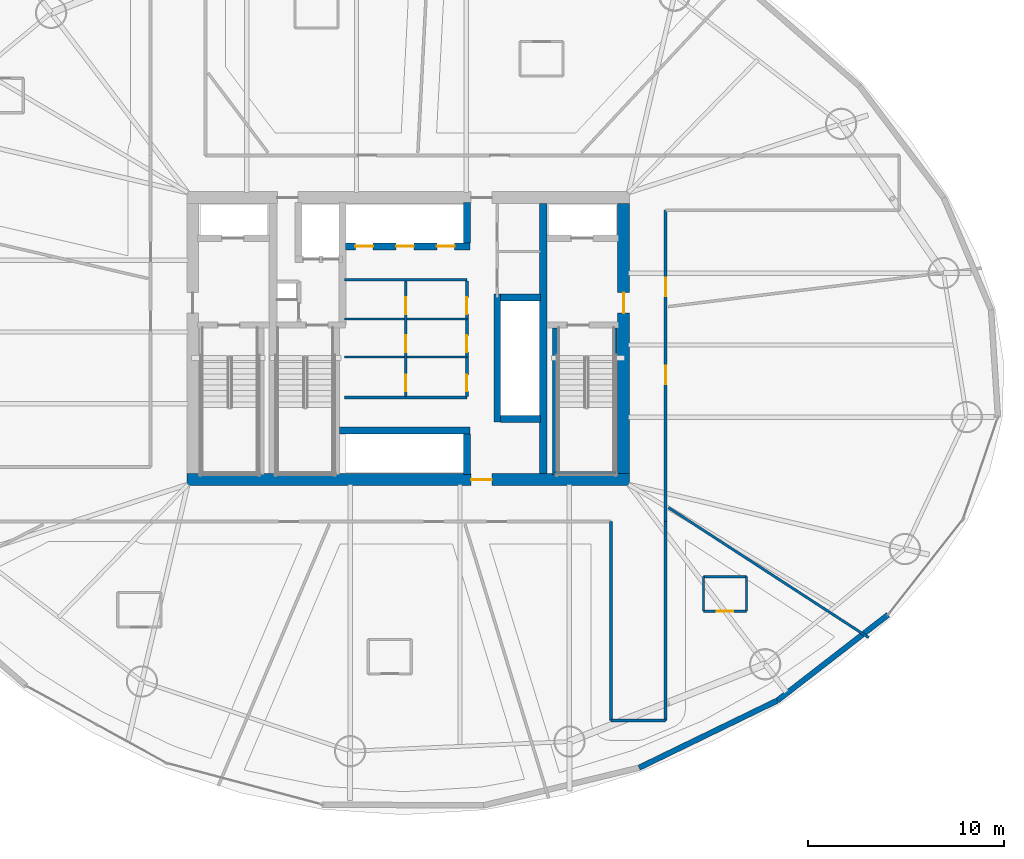
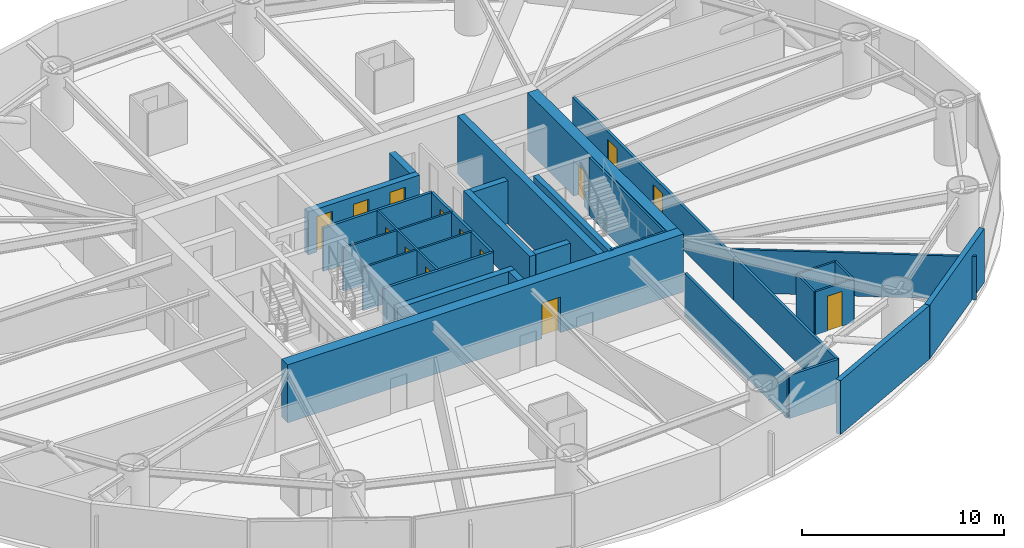
# One storey, part 17 of 23: 30 walls, 14 doors, 14 openings.
"""IFC4 building model written with IfcOpenShell, lengths in metres."""

from ifc_helpers import new_model, si_unit, direction, frame, frame_2d, origin, place, context, subcontext, project, spatial, rectangle, extrude, material, layer, layer_set, type_object, element, fill, save


model = new_model("IFC4")

# Units and contexts
model_context = context("Model", 3, precision=1e-05, world=origin(), true_north=direction((0.0, 1.0)))
body_context = subcontext(model_context, "Body", "Model", "MODEL_VIEW")
ifc_project = project(units=[si_unit("LENGTHUNIT", "METRE"), si_unit("AREAUNIT", "SQUARE_METRE"), si_unit("VOLUMEUNIT", "CUBIC_METRE"), si_unit("PLANEANGLEUNIT", "RADIAN"), si_unit("MASSUNIT", "GRAM", prefix="KILO")], contexts=[model_context])

# Site, building, storey
site_placement = place(None, origin())
site = spatial("IfcSite", under=ifc_project, at=site_placement, CompositionType="ELEMENT")
building_placement = place(site_placement, origin())
building = spatial("IfcBuilding", under=site, at=building_placement, Name="Bramvorn Convention Spire", CompositionType="ELEMENT")
storey_placement = place(building_placement, frame((0.0, 0.0, 65.89990234375)))
storey = spatial("IfcBuildingStorey", under=building, at=storey_placement, Name="L14", CompositionType="ELEMENT", Elevation=65.89990234375)

# Wall, opening, door
ifc_material_1 = material(Name="Concrete C60/70", Category="concrete")
ifc_layer_1 = layer(ifc_material_1, 0.60009765625)
ifc_layer_set_1 = layer_set([ifc_layer_1], Name="Concrete C60/70 - WL-CORE-600")
wall_type_1 = type_object("IfcWallType", Name="WL-CORE-600", PredefinedType="SHEAR", material=ifc_layer_set_1)
wall_1_placement = place(storey_placement, frame((26.699951171875, 18.800048828125, 0.0), z_axis=(0.0, 0.0, 1.0), x_axis=(1.0, 0.0, 0.0)))
wall_1 = element("IfcWall", 1, at=wall_1_placement, inside=storey, type_object=wall_type_1, Name="L14 South RC core shear wall", PredefinedType="SHEAR", context=body_context, shape_type="SweptSolid", body=[
    extrude(rectangle(XDim=22.60009765625, YDim=0.60009765625, at=frame_2d((11.300048828125, 0.0))), origin(), (0.0, 0.0, 1.0), 3.5),
])
opening_1_placement = place(wall_1_placement, frame((14.52001953125, 0.0, 0.0)))
opening_1 = element("IfcOpeningElement", 2, at=opening_1_placement, cuts=wall_1, Name="Opening DL-105", PredefinedType="OPENING", context=body_context, shape_type="SweptSolid", body=[
    extrude(rectangle(XDim=1.050048828125, YDim=2.14990234375, at=frame_2d((0.52490234375, 1.074951171875))), frame((0.0, 0.31005859375, 0.0), z_axis=(0.0, -1.0, 0.0), x_axis=(1.0, 0.0, 0.0)), (0.0, 0.0, 1.0), 0.6201171875),
])
ifc_material_2 = material(Name="Smoke-Sealed Fire Lobby Timber-Core Door", Category="wood")
door_type_1 = type_object("IfcDoorType", Name="DR-LOBBY-1050", OperationType="NOTDEFINED", PredefinedType="DOOR", material=ifc_material_2)
door_1_placement = place(opening_1_placement, origin())
door_1 = element("IfcDoor", 3, at=door_1_placement, inside=storey, type_object=door_type_1, Name="L14 South Lift Lobby fire door", OperationType="SINGLE_SWING_RIGHT", OverallHeight=2.14990234375, OverallWidth=1.050048828125, PredefinedType="DOOR", context=body_context, shape_type="SweptSolid", body=[
    extrude(rectangle(XDim=1.050048828125, YDim=2.14990234375, at=frame_2d((0.52490234375, 1.074951171875))), frame((0.0, 0.02490234375, 0.0), z_axis=(0.0, -1.0, 0.0), x_axis=(1.0, 0.0, 0.0)), (0.0, 0.0, 1.0), 0.050048828125),
])
fill(opening_1, door_1)

wall_2_placement = place(storey_placement, frame((49.0, 19.10009765625, 0.0), z_axis=(0.0, 0.0, 1.0), x_axis=(0.0, 1.0, 0.0)))
wall_2 = element("IfcWall", 4, at=wall_2_placement, inside=storey, type_object=wall_type_1, Name="L14 East RC core shear wall", PredefinedType="SHEAR", context=body_context, shape_type="SweptSolid", body=[
    extrude(rectangle(XDim=13.7998046875, YDim=0.60009765625, at=frame_2d((6.89990234375, 0.0))), origin(), (0.0, 0.0, 1.0), 3.5),
])
opening_2_placement = place(wall_2_placement, frame((8.199951171875, 0.0, 0.0)))
opening_2 = element("IfcOpeningElement", 5, at=opening_2_placement, cuts=wall_2, Name="Opening DL-105", PredefinedType="OPENING", context=body_context, shape_type="SweptSolid", body=[
    extrude(rectangle(XDim=1.050048828125, YDim=2.14990234375, at=frame_2d((0.52490234375, 1.074951171875))), frame((0.0, 0.31005859375, 0.0), z_axis=(0.0, -1.0, 0.0), x_axis=(1.0, 0.0, 0.0)), (0.0, 0.0, 1.0), 0.6201171875),
])
door_2_placement = place(opening_2_placement, origin())
door_2 = element("IfcDoor", 6, at=door_2_placement, inside=storey, type_object=door_type_1, Name="L14 East Firefighting Lobby corridor door", OperationType="SINGLE_SWING_LEFT", OverallHeight=2.14990234375, OverallWidth=1.050048828125, PredefinedType="DOOR", context=body_context, shape_type="SweptSolid", body=[
    extrude(rectangle(XDim=1.050048828125, YDim=2.14990234375, at=frame_2d((0.52490234375, 1.074951171875))), frame((0.0, 0.02490234375, 0.0), z_axis=(0.0, -1.0, 0.0), x_axis=(1.0, 0.0, 0.0)), (0.0, 0.0, 1.0), 0.050048828125),
])
fill(opening_2, door_2)

# Walls
ifc_material_3 = material(Name="Concrete C50/60", Category="concrete")
ifc_layer_2 = layer(ifc_material_3, 0.35009765625)
ifc_layer_set_2 = layer_set([ifc_layer_2], Name="Concrete C50/60 - WL-CORE-INT-350")
wall_type_2 = type_object("IfcWallType", Name="WL-CORE-INT-350", PredefinedType="SHEAR", material=ifc_layer_set_2)
wall_3_placement = place(storey_placement, frame((42.550048828125, 21.72998046875, 0.0), z_axis=(0.0, 0.0, 1.0), x_axis=(0.0, 1.0, 0.0)))
element("IfcWall", 7, at=wall_3_placement, inside=storey, type_object=wall_type_2, Name="L14 High-rise lift bank west wall", PredefinedType="SHEAR", context=body_context, shape_type="SweptSolid", body=[
    extrude(rectangle(XDim=6.5400390625, YDim=0.35009765625, at=frame_2d((3.27001953125, 0.0))), origin(), (0.0, 0.0, 1.0), 2.60009765625),
])
for number, where, z_axis, x_axis, name in (
    (8, (42.719970703125, 21.89990234375, 0.0), (0.0, 0.0, 1.0), (1.0, 0.0, 0.0), "L14 High-rise lift bank south wall"),
    (9, (42.719970703125, 28.10009765625, 0.0), (0.0, 0.0, 1.0), (1.0, 0.0, 0.0), "L14 High-rise lift bank north wall"),
):
    element("IfcWall", number, at=place(storey_placement, frame(where, z_axis=z_axis, x_axis=x_axis)), inside=storey, type_object=wall_type_2, Name=name, PredefinedType="SHEAR", context=body_context, shape_type="SweptSolid", body=[
        extrude(rectangle(XDim=2.030029296875, YDim=0.35009765625, at=frame_2d((1.01513671875, 0.0))), origin(), (0.0, 0.0, 1.0), 2.60009765625),
    ])

# Wall, openings, doors
wall_4_placement = place(storey_placement, frame((34.81005859375, 30.699951171875, 0.0), z_axis=(0.0, 0.0, 1.0), x_axis=(1.0, 0.0, 0.0)))
wall_4 = element("IfcWall", 10, at=wall_4_placement, inside=storey, type_object=wall_type_2, Name="L14 Low-rise bank south landing wall", PredefinedType="SHEAR", context=body_context, shape_type="SweptSolid", body=[
    extrude(rectangle(XDim=6.35986328125, YDim=0.35009765625, at=frame_2d((3.179931640625, 0.0))), origin(), (0.0, 0.0, 1.0), 2.60009765625),
])
opening_3_placement = place(wall_4_placement, frame((0.5, 0.0, 0.0)))
opening_3 = element("IfcOpeningElement", 11, at=opening_3_placement, cuts=wall_4, Name="Opening LD-090", PredefinedType="OPENING", context=body_context, shape_type="SweptSolid", body=[
    extrude(rectangle(XDim=0.89990234375, YDim=2.14990234375, at=frame_2d((0.449951171875, 1.074951171875))), frame((0.0, 0.18505859375, 0.0), z_axis=(0.0, -1.0, 0.0), x_axis=(1.0, 0.0, 0.0)), (0.0, 0.0, 1.0), 0.3701171875),
])
opening_4_placement = place(wall_4_placement, frame((2.580078125, 0.0, 0.0)))
opening_4 = element("IfcOpeningElement", 12, at=opening_4_placement, cuts=wall_4, Name="Opening LD-090", PredefinedType="OPENING", context=body_context, shape_type="SweptSolid", body=[
    extrude(rectangle(XDim=0.89990234375, YDim=2.14990234375, at=frame_2d((0.449951171875, 1.074951171875))), frame((0.0, 0.18505859375, 0.0), z_axis=(0.0, -1.0, 0.0), x_axis=(1.0, 0.0, 0.0)), (0.0, 0.0, 1.0), 0.3701171875),
])
opening_5_placement = place(wall_4_placement, frame((4.659912109375, 0.0, 0.0)))
opening_5 = element("IfcOpeningElement", 13, at=opening_5_placement, cuts=wall_4, Name="Opening LD-090", PredefinedType="OPENING", context=body_context, shape_type="SweptSolid", body=[
    extrude(rectangle(XDim=0.89990234375, YDim=2.14990234375, at=frame_2d((0.449951171875, 1.074951171875))), frame((0.0, 0.18505859375, 0.0), z_axis=(0.0, -1.0, 0.0), x_axis=(1.0, 0.0, 0.0)), (0.0, 0.0, 1.0), 0.3701171875),
])
ifc_material_4 = material(Name="Bi-Parting Fire-Rated Lift Landing Door", Category="steel")
door_type_2 = type_object("IfcDoorType", Name="DR-LIFT-LD-900", OperationType="NOTDEFINED", PredefinedType="DOOR", material=ifc_material_4)
door_3_placement = place(opening_3_placement, origin())
door_3 = element("IfcDoor", 14, at=door_3_placement, inside=storey, type_object=door_type_2, Name="L14 Lift PL1 Sliding Landing Door", OperationType="SLIDING_TO_LEFT", OverallHeight=2.14990234375, OverallWidth=0.89990234375, PredefinedType="DOOR", context=body_context, shape_type="SweptSolid", body=[
    extrude(rectangle(XDim=0.89990234375, YDim=2.14990234375, at=frame_2d((0.449951171875, 1.074951171875))), frame((0.0, 0.02490234375, 0.0), z_axis=(0.0, -1.0, 0.0), x_axis=(1.0, 0.0, 0.0)), (0.0, 0.0, 1.0), 0.050048828125),
])
fill(opening_3, door_3)
door_4_placement = place(opening_4_placement, origin())
door_4 = element("IfcDoor", 15, at=door_4_placement, inside=storey, type_object=door_type_2, Name="L14 Lift PL2 Sliding Landing Door", OperationType="SLIDING_TO_LEFT", OverallHeight=2.14990234375, OverallWidth=0.89990234375, PredefinedType="DOOR", context=body_context, shape_type="SweptSolid", body=[
    extrude(rectangle(XDim=0.89990234375, YDim=2.14990234375, at=frame_2d((0.449951171875, 1.074951171875))), frame((0.0, 0.02490234375, 0.0), z_axis=(0.0, -1.0, 0.0), x_axis=(1.0, 0.0, 0.0)), (0.0, 0.0, 1.0), 0.050048828125),
])
fill(opening_4, door_4)
door_5_placement = place(opening_5_placement, origin())
door_5 = element("IfcDoor", 16, at=door_5_placement, inside=storey, type_object=door_type_2, Name="L14 Lift PL3 Sliding Landing Door", OperationType="SLIDING_TO_LEFT", OverallHeight=2.14990234375, OverallWidth=0.89990234375, PredefinedType="DOOR", context=body_context, shape_type="SweptSolid", body=[
    extrude(rectangle(XDim=0.89990234375, YDim=2.14990234375, at=frame_2d((0.449951171875, 1.074951171875))), frame((0.0, 0.02490234375, 0.0), z_axis=(0.0, -1.0, 0.0), x_axis=(1.0, 0.0, 0.0)), (0.0, 0.0, 1.0), 0.050048828125),
])
fill(opening_5, door_5)

# Walls
wall_5_placement = place(storey_placement, frame((41.0, 30.8701171875, 0.0), z_axis=(0.0, 0.0, 1.0), x_axis=(0.0, 1.0, 0.0)))
element("IfcWall", 17, at=wall_5_placement, inside=storey, type_object=wall_type_2, Name="L14 Low-rise bank east cheek wall", PredefinedType="SHEAR", context=body_context, shape_type="SweptSolid", body=[
    extrude(rectangle(XDim=2.079833984375, YDim=0.35009765625, at=frame_2d((1.0400390625, 0.0))), origin(), (0.0, 0.0, 1.0), 2.60009765625),
])
wall_6_placement = place(storey_placement, frame((34.489990234375, 21.300048828125, 0.0), z_axis=(0.0, 0.0, 1.0), x_axis=(1.0, 0.0, 0.0)))
element("IfcWall", 18, at=wall_6_placement, inside=storey, type_object=wall_type_2, Name="L14 Mid-rise bank north landing wall", PredefinedType="SHEAR", context=body_context, shape_type="SweptSolid", body=[
    extrude(rectangle(XDim=6.679931640625, YDim=0.35009765625, at=frame_2d((3.33984375, 0.0))), origin(), (0.0, 0.0, 1.0), 2.60009765625),
])
wall_7_placement = place(storey_placement, frame((41.0, 19.050048828125, 0.0), z_axis=(0.0, 0.0, 1.0), x_axis=(0.0, 1.0, 0.0)))
element("IfcWall", 19, at=wall_7_placement, inside=storey, type_object=wall_type_2, Name="L14 Mid-rise bank east cheek wall", PredefinedType="SHEAR", context=body_context, shape_type="SweptSolid", body=[
    extrude(rectangle(XDim=2.079833984375, YDim=0.35009765625, at=frame_2d((1.0400390625, 0.0))), origin(), (0.0, 0.0, 1.0), 2.60009765625),
])
ifc_layer_3 = layer(ifc_material_1, 0.39990234375)
ifc_layer_set_3 = layer_set([ifc_layer_3], Name="Concrete C60/70 - WL-CORE-INT-400")
wall_type_3 = type_object("IfcWallType", Name="WL-CORE-INT-400", PredefinedType="SHEAR", material=ifc_layer_set_3)
wall_8_placement = place(storey_placement, frame((44.89990234375, 19.10009765625, 0.0), z_axis=(0.0, 0.0, 1.0), x_axis=(0.0, 1.0, 0.0)))
element("IfcWall", 20, at=wall_8_placement, inside=storey, type_object=wall_type_3, Name="L14 East internal core shear web", PredefinedType="SHEAR", context=body_context, shape_type="SweptSolid", body=[
    extrude(rectangle(XDim=13.7998046875, YDim=0.39990234375, at=frame_2d((6.89990234375, 0.0))), origin(), (0.0, 0.0, 1.0), 3.5),
])
ifc_material_5 = material(Name="Precast Concrete C40/50 with Bronze Terracotta Rainscreen", Category="masonry")
ifc_layer_4 = layer(ifc_material_5, 0.300048828125)
ifc_layer_set_4 = layer_set([ifc_layer_4], Name="Precast Concrete C40/50 with Bronze Terracotta Rainscreen - WL-EXT-BRONZE-300")
wall_type_4 = type_object("IfcWallType", Name="WL-EXT-BRONZE-300", PredefinedType="SOLIDWALL", material=ifc_layer_set_4)
wall_9_placement = place(storey_placement, frame((56.851806640625, 7.519287109375, 0.0), z_axis=(0.0, 0.0, 1.0), x_axis=(-0.899430218245, -0.437064391718, 0.0)))
element("IfcWall", 21, at=wall_9_placement, inside=storey, type_object=wall_type_4, Name="L14 expressed bronze Gothic lancet pier wall 21", PredefinedType="SOLIDWALL", context=body_context, shape_type="SweptSolid", body=[
    extrude(rectangle(XDim=7.844970703125, YDim=0.280029296875, at=frame_2d((3.92236328125, 0.0))), origin(), (0.0, 0.0, 1.0), 3.25),
])
wall_10_placement = place(storey_placement, frame((62.49853515625, 11.8935546875, 0.0), z_axis=(0.0, 0.0, 1.0), x_axis=(-0.790547015507, -0.612401352278, 0.0)))
element("IfcWall", 22, at=wall_10_placement, inside=storey, type_object=wall_type_4, Name="L14 expressed bronze Gothic lancet pier wall 22", PredefinedType="SOLIDWALL", context=body_context, shape_type="SweptSolid", body=[
    extrude(rectangle(XDim=7.142822265625, YDim=0.280029296875, at=frame_2d((3.5712890625, 0.0))), origin(), (0.0, 0.0, 1.0), 3.25),
])

# Wall, openings, doors
ifc_material_6 = material(Name="Lightweight En-Suite & Wet-Wall Partition", Category="gypsum")
ifc_layer_5 = layer(ifc_material_6, 0.110107421875)
ifc_layer_set_5 = layer_set([ifc_layer_5], Name="Lightweight En-Suite & Wet-Wall Partition - WL-PART-110")
wall_type_5 = type_object("IfcWallType", Name="WL-PART-110", PredefinedType="PARTITIONING", material=ifc_layer_set_5)
wall_11_placement = place(storey_placement, frame((37.8798828125, 23.050048828125, 0.0), z_axis=(0.0, 0.0, 1.0), x_axis=(0.0, 1.0, 0.0)))
wall_11 = element("IfcWall", 23, at=wall_11_placement, inside=storey, type_object=wall_type_5, Name="L14 KB center wall", PredefinedType="PARTITIONING", context=body_context, shape_type="SweptSolid", body=[
    extrude(rectangle(XDim=5.89990234375, YDim=0.110107421875, at=frame_2d((2.949951171875, 0.0))), origin(), (0.0, 0.0, 1.0), 2.60009765625),
])
opening_6_placement = place(wall_11_placement, frame((0.25, 0.0, 0.0)))
opening_6 = element("IfcOpeningElement", 24, at=opening_6_placement, cuts=wall_11, Name="Opening DC-085", PredefinedType="OPENING", context=body_context, shape_type="SweptSolid", body=[
    extrude(rectangle(XDim=0.85009765625, YDim=2.10009765625, at=frame_2d((0.425048828125, 1.050048828125))), frame((0.0, 0.06494140625, 0.0), z_axis=(0.0, -1.0, 0.0), x_axis=(1.0, 0.0, 0.0)), (0.0, 0.0, 1.0), 0.130126953125),
])
opening_7_placement = place(wall_11_placement, frame((2.256103515625, 0.0, 0.0)))
opening_7 = element("IfcOpeningElement", 25, at=opening_7_placement, cuts=wall_11, Name="Opening DC-085", PredefinedType="OPENING", context=body_context, shape_type="SweptSolid", body=[
    extrude(rectangle(XDim=0.85009765625, YDim=2.10009765625, at=frame_2d((0.425048828125, 1.050048828125))), frame((0.0, 0.06494140625, 0.0), z_axis=(0.0, -1.0, 0.0), x_axis=(1.0, 0.0, 0.0)), (0.0, 0.0, 1.0), 0.130126953125),
])
opening_8_placement = place(wall_11_placement, frame((4.202880859375, 0.0, 0.0)))
opening_8 = element("IfcOpeningElement", 26, at=opening_8_placement, cuts=wall_11, Name="Opening DC-085", PredefinedType="OPENING", context=body_context, shape_type="SweptSolid", body=[
    extrude(rectangle(XDim=0.85009765625, YDim=2.10009765625, at=frame_2d((0.425048828125, 1.050048828125))), frame((0.0, 0.06494140625, 0.0), z_axis=(0.0, -1.0, 0.0), x_axis=(1.0, 0.0, 0.0)), (0.0, 0.0, 1.0), 0.130126953125),
])
ifc_material_7 = material(Name="Fire-Rated Core Washroom & IDF Door", Category="wood")
door_type_3 = type_object("IfcDoorType", Name="DR-CORE-850", OperationType="NOTDEFINED", PredefinedType="DOOR", material=ifc_material_7)
door_6_placement = place(opening_6_placement, origin())
door_6 = element("IfcDoor", 27, at=door_6_placement, inside=storey, type_object=door_type_3, Name="L14 Core Linen Store door", OperationType="SINGLE_SWING_LEFT", OverallHeight=2.10009765625, OverallWidth=0.85009765625, PredefinedType="DOOR", context=body_context, shape_type="SweptSolid", body=[
    extrude(rectangle(XDim=0.85009765625, YDim=2.10009765625, at=frame_2d((0.425048828125, 1.050048828125))), frame((0.0, 0.02490234375, 0.0), z_axis=(0.0, -1.0, 0.0), x_axis=(1.0, 0.0, 0.0)), (0.0, 0.0, 1.0), 0.050048828125),
])
fill(opening_6, door_6)
door_7_placement = place(opening_7_placement, origin())
door_7 = element("IfcDoor", 28, at=door_7_placement, inside=storey, type_object=door_type_3, Name="L14 Core Metering Closet door", OperationType="SINGLE_SWING_LEFT", OverallHeight=2.10009765625, OverallWidth=0.85009765625, PredefinedType="DOOR", context=body_context, shape_type="SweptSolid", body=[
    extrude(rectangle(XDim=0.85009765625, YDim=2.10009765625, at=frame_2d((0.425048828125, 1.050048828125))), frame((0.0, 0.02490234375, 0.0), z_axis=(0.0, -1.0, 0.0), x_axis=(1.0, 0.0, 0.0)), (0.0, 0.0, 1.0), 0.050048828125),
])
fill(opening_7, door_7)
door_8_placement = place(opening_8_placement, origin())
door_8 = element("IfcDoor", 29, at=door_8_placement, inside=storey, type_object=door_type_3, Name="L14 Core Janitor Supply door", OperationType="SINGLE_SWING_LEFT", OverallHeight=2.10009765625, OverallWidth=0.85009765625, PredefinedType="DOOR", context=body_context, shape_type="SweptSolid", body=[
    extrude(rectangle(XDim=0.85009765625, YDim=2.10009765625, at=frame_2d((0.425048828125, 1.050048828125))), frame((0.0, 0.02490234375, 0.0), z_axis=(0.0, -1.0, 0.0), x_axis=(1.0, 0.0, 0.0)), (0.0, 0.0, 1.0), 0.050048828125),
])
fill(opening_8, door_8)

# Walls
for number, where, z_axis, x_axis, name in (
    (30, (34.75, 25.055908203125, 0.0), (0.0, 0.0, 1.0), (1.0, 0.0, 0.0), "L14 KB divider 1"),
    (31, (34.75, 27.0029296875, 0.0), (0.0, 0.0, 1.0), (1.0, 0.0, 0.0), "L14 KB divider 2"),
):
    element("IfcWall", number, at=place(storey_placement, frame(where, z_axis=z_axis, x_axis=x_axis)), inside=storey, type_object=wall_type_5, Name=name, PredefinedType="PARTITIONING", context=body_context, shape_type="SweptSolid", body=[
        extrude(rectangle(XDim=6.25, YDim=0.110107421875, at=frame_2d((3.125, 0.0))), origin(), (0.0, 0.0, 1.0), 2.60009765625),
    ])

# Wall, opening, door
wall_12_placement = place(storey_placement, frame((53.073974609375, 12.0791015625, 0.0), z_axis=(0.0, 0.0, 1.0), x_axis=(1.0, 0.0, 0.0)))
wall_12 = element("IfcWall", 32, at=wall_12_placement, inside=storey, type_object=wall_type_5, Name="Hotel Suite 1408 en-suite south wall", PredefinedType="PARTITIONING", context=body_context, shape_type="SweptSolid", body=[
    extrude(rectangle(XDim=2.199951171875, YDim=0.110107421875, at=frame_2d((1.10009765625, 0.0))), origin(), (0.0, 0.0, 1.0), 2.60009765625),
])
opening_9_placement = place(wall_12_placement, frame((0.679931640625, 0.0, 0.0)))
opening_9 = element("IfcOpeningElement", 33, at=opening_9_placement, cuts=wall_12, Name="Opening DI-085", PredefinedType="OPENING", context=body_context, shape_type="SweptSolid", body=[
    extrude(rectangle(XDim=0.85009765625, YDim=2.10009765625, at=frame_2d((0.425048828125, 1.050048828125))), frame((0.0, 0.06494140625, 0.0), z_axis=(0.0, -1.0, 0.0), x_axis=(1.0, 0.0, 0.0)), (0.0, 0.0, 1.0), 0.130126953125),
])
ifc_material_8 = material(Name="En-Suite & Restroom Privacy Door", Category="wood")
door_type_4 = type_object("IfcDoorType", Name="DR-INT-850", OperationType="NOTDEFINED", PredefinedType="DOOR", material=ifc_material_8)
door_9_placement = place(opening_9_placement, origin())
door_9 = element("IfcDoor", 34, at=door_9_placement, inside=storey, type_object=door_type_4, Name="Hotel Suite 1408 En-Suite Bathroom door", OperationType="SINGLE_SWING_LEFT", OverallHeight=2.10009765625, OverallWidth=0.85009765625, PredefinedType="DOOR", context=body_context, shape_type="SweptSolid", body=[
    extrude(rectangle(XDim=0.85009765625, YDim=2.10009765625, at=frame_2d((0.425048828125, 1.050048828125))), frame((0.0, 0.02490234375, 0.0), z_axis=(0.0, -1.0, 0.0), x_axis=(1.0, 0.0, 0.0)), (0.0, 0.0, 1.0), 0.050048828125),
])
fill(opening_9, door_9)

# Walls
wall_13_placement = place(storey_placement, frame((53.073974609375, 13.839111328125, 0.0), z_axis=(0.0, 0.0, 1.0), x_axis=(1.0, 0.0, 0.0)))
element("IfcWall", 35, at=wall_13_placement, inside=storey, type_object=wall_type_5, Name="Hotel Suite 1408 en-suite north wall", PredefinedType="PARTITIONING", context=body_context, shape_type="SweptSolid", body=[
    extrude(rectangle(XDim=2.199951171875, YDim=0.110107421875, at=frame_2d((1.10009765625, 0.0))), origin(), (0.0, 0.0, 1.0), 2.60009765625),
])
for number, where, z_axis, x_axis, name in (
    (36, (53.073974609375, 12.0791015625, 0.0), (0.0, 0.0, 1.0), (0.0, 1.0, 0.0), "Hotel Suite 1408 en-suite west wall"),
    (37, (55.27392578125, 12.0791015625, 0.0), (0.0, 0.0, 1.0), (0.0, 1.0, 0.0), "Hotel Suite 1408 en-suite east wall"),
):
    element("IfcWall", number, at=place(storey_placement, frame(where, z_axis=z_axis, x_axis=x_axis)), inside=storey, type_object=wall_type_5, Name=name, PredefinedType="PARTITIONING", context=body_context, shape_type="SweptSolid", body=[
        extrude(rectangle(XDim=1.760009765625, YDim=0.110107421875, at=frame_2d((0.8798828125, 0.0))), origin(), (0.0, 0.0, 1.0), 2.60009765625),
    ])
ifc_material_9 = material(Name="Metal-Stud Demountable Office Partition", Category="gypsum")
ifc_layer_6 = layer(ifc_material_9, 0.1298828125)
ifc_layer_set_6 = layer_set([ifc_layer_6], Name="Metal-Stud Demountable Office Partition - WL-PART-130")
wall_type_6 = type_object("IfcWallType", Name="WL-PART-130", PredefinedType="PARTITIONING", material=ifc_layer_set_6)
wall_14_placement = place(storey_placement, frame((51.2900390625, 17.369384765625, 0.0), z_axis=(0.0, 0.0, 1.0), x_axis=(0.838666625958, -0.544645105096, 0.0)))
element("IfcWall", 38, at=wall_14_placement, inside=storey, type_object=wall_type_6, Name="L14 Guestroom demising wall 9", PredefinedType="PARTITIONING", context=body_context, shape_type="SweptSolid", body=[
    extrude(rectangle(XDim=12.201904296875, YDim=0.1298828125, at=frame_2d((6.10107421875, 0.0))), origin(), (0.0, 0.0, 1.0), 2.60009765625),
])
ifc_material_10 = material(Name="Acoustic Metal-Stud Tenant/Corridor Partition", Category="gypsum")
ifc_layer_7 = layer(ifc_material_10, 0.14990234375)
ifc_layer_set_7 = layer_set([ifc_layer_7], Name="Acoustic Metal-Stud Tenant/Corridor Partition - WL-PART-150")
wall_type_7 = type_object("IfcWallType", Name="WL-PART-150", PredefinedType="PARTITIONING", material=ifc_layer_set_7)
for number, where, z_axis, x_axis, name in (
    (39, (34.75, 29.0, 0.0), (0.0, 0.0, 1.0), (1.0, 0.0, 0.0), "L14 Low-rise lift vestibule south wall"),
    (40, (34.75, 23.0, 0.0), (0.0, 0.0, 1.0), (1.0, 0.0, 0.0), "L14 Mid-rise lift vestibule north wall"),
):
    element("IfcWall", number, at=place(storey_placement, frame(where, z_axis=z_axis, x_axis=x_axis)), inside=storey, type_object=wall_type_7, Name=name, PredefinedType="PARTITIONING", context=body_context, shape_type="SweptSolid", body=[
        extrude(rectangle(XDim=6.25, YDim=0.14990234375, at=frame_2d((3.125, 0.0))), origin(), (0.0, 0.0, 1.0), 2.60009765625),
    ])

# Wall, openings, doors
wall_15_placement = place(storey_placement, frame((41.0, 23.050048828125, 0.0), z_axis=(0.0, 0.0, 1.0), x_axis=(0.0, 1.0, 0.0)))
wall_15 = element("IfcWall", 41, at=wall_15_placement, inside=storey, type_object=wall_type_7, Name="L14 KB east core wall", PredefinedType="PARTITIONING", context=body_context, shape_type="SweptSolid", body=[
    extrude(rectangle(XDim=5.89990234375, YDim=0.14990234375, at=frame_2d((2.949951171875, 0.0))), origin(), (0.0, 0.0, 1.0), 2.60009765625),
])
opening_10_placement = place(wall_15_placement, frame((0.25, 0.0, 0.0)))
opening_10 = element("IfcOpeningElement", 42, at=opening_10_placement, cuts=wall_15, Name="Opening DC-085", PredefinedType="OPENING", context=body_context, shape_type="SweptSolid", body=[
    extrude(rectangle(XDim=0.85009765625, YDim=2.10009765625, at=frame_2d((0.425048828125, 1.050048828125))), frame((0.0, 0.0849609375, 0.0), z_axis=(0.0, -1.0, 0.0), x_axis=(1.0, 0.0, 0.0)), (0.0, 0.0, 1.0), 0.169921875),
])
opening_11_placement = place(wall_15_placement, frame((2.256103515625, 0.0, 0.0)))
opening_11 = element("IfcOpeningElement", 43, at=opening_11_placement, cuts=wall_15, Name="Opening DC-085", PredefinedType="OPENING", context=body_context, shape_type="SweptSolid", body=[
    extrude(rectangle(XDim=0.85009765625, YDim=2.10009765625, at=frame_2d((0.425048828125, 1.050048828125))), frame((0.0, 0.0849609375, 0.0), z_axis=(0.0, -1.0, 0.0), x_axis=(1.0, 0.0, 0.0)), (0.0, 0.0, 1.0), 0.169921875),
])
opening_12_placement = place(wall_15_placement, frame((4.202880859375, 0.0, 0.0)))
opening_12 = element("IfcOpeningElement", 44, at=opening_12_placement, cuts=wall_15, Name="Opening DC-085", PredefinedType="OPENING", context=body_context, shape_type="SweptSolid", body=[
    extrude(rectangle(XDim=0.85009765625, YDim=2.10009765625, at=frame_2d((0.425048828125, 1.050048828125))), frame((0.0, 0.0849609375, 0.0), z_axis=(0.0, -1.0, 0.0), x_axis=(1.0, 0.0, 0.0)), (0.0, 0.0, 1.0), 0.169921875),
])
door_10_placement = place(opening_10_placement, origin())
door_10 = element("IfcDoor", 45, at=door_10_placement, inside=storey, type_object=door_type_3, Name="L14 Accessible Core Restroom door", OperationType="SINGLE_SWING_LEFT", OverallHeight=2.10009765625, OverallWidth=0.85009765625, PredefinedType="DOOR", context=body_context, shape_type="SweptSolid", body=[
    extrude(rectangle(XDim=0.85009765625, YDim=2.10009765625, at=frame_2d((0.425048828125, 1.050048828125))), frame((0.0, 0.02490234375, 0.0), z_axis=(0.0, -1.0, 0.0), x_axis=(1.0, 0.0, 0.0)), (0.0, 0.0, 1.0), 0.050048828125),
])
fill(opening_10, door_10)
door_11_placement = place(opening_11_placement, origin())
door_11 = element("IfcDoor", 46, at=door_11_placement, inside=storey, type_object=door_type_3, Name="L14 Floor Housekeeping & Linen Store door", OperationType="SINGLE_SWING_LEFT", OverallHeight=2.10009765625, OverallWidth=0.85009765625, PredefinedType="DOOR", context=body_context, shape_type="SweptSolid", body=[
    extrude(rectangle(XDim=0.85009765625, YDim=2.10009765625, at=frame_2d((0.425048828125, 1.050048828125))), frame((0.0, 0.02490234375, 0.0), z_axis=(0.0, -1.0, 0.0), x_axis=(1.0, 0.0, 0.0)), (0.0, 0.0, 1.0), 0.050048828125),
])
fill(opening_11, door_11)
door_12_placement = place(opening_12_placement, origin())
door_12 = element("IfcDoor", 47, at=door_12_placement, inside=storey, type_object=door_type_3, Name="L14 Gender-Neutral Core WC door", OperationType="SINGLE_SWING_LEFT", OverallHeight=2.10009765625, OverallWidth=0.85009765625, PredefinedType="DOOR", context=body_context, shape_type="SweptSolid", body=[
    extrude(rectangle(XDim=0.85009765625, YDim=2.10009765625, at=frame_2d((0.425048828125, 1.050048828125))), frame((0.0, 0.02490234375, 0.0), z_axis=(0.0, -1.0, 0.0), x_axis=(1.0, 0.0, 0.0)), (0.0, 0.0, 1.0), 0.050048828125),
])
fill(opening_12, door_12)

wall_16_placement = place(storey_placement, frame((51.14990234375, 16.64990234375, 0.0), z_axis=(0.0, 0.0, 1.0), x_axis=(0.0, 1.0, 0.0)))
wall_16 = element("IfcWall", 48, at=wall_16_placement, inside=storey, type_object=wall_type_7, Name="L14 East ring corridor wall", PredefinedType="PARTITIONING", context=body_context, shape_type="SweptSolid", body=[
    extrude(rectangle(XDim=15.900146484375, YDim=0.14990234375, at=frame_2d((7.9501953125, 0.0))), origin(), (0.0, 0.0, 1.0), 2.60009765625),
])
opening_13_placement = place(wall_16_placement, frame((11.51220703125, 0.0, 0.0)))
opening_13 = element("IfcOpeningElement", 49, at=opening_13_placement, cuts=wall_16, Name="Opening DH-095", PredefinedType="OPENING", context=body_context, shape_type="SweptSolid", body=[
    extrude(rectangle(XDim=0.949951171875, YDim=2.14990234375, at=frame_2d((0.47509765625, 1.074951171875))), frame((0.0, 0.0849609375, 0.0), z_axis=(0.0, -1.0, 0.0), x_axis=(1.0, 0.0, 0.0)), (0.0, 0.0, 1.0), 0.169921875),
])
opening_14_placement = place(wall_16_placement, frame((7.004150390625, 0.0, 0.0)))
opening_14 = element("IfcOpeningElement", 50, at=opening_14_placement, cuts=wall_16, Name="Opening DH-095", PredefinedType="OPENING", context=body_context, shape_type="SweptSolid", body=[
    extrude(rectangle(XDim=0.949951171875, YDim=2.14990234375, at=frame_2d((0.47509765625, 1.074951171875))), frame((0.0, 0.0849609375, 0.0), z_axis=(0.0, -1.0, 0.0), x_axis=(1.0, 0.0, 0.0)), (0.0, 0.0, 1.0), 0.169921875),
])
ifc_material_11 = material(Name="Solid-Core Acoustic Guestroom Entry Door", Category="wood")
door_type_5 = type_object("IfcDoorType", Name="DR-HOTEL-950", OperationType="NOTDEFINED", PredefinedType="DOOR", material=ifc_material_11)
door_13_placement = place(opening_13_placement, origin())
door_13 = element("IfcDoor", 51, at=door_13_placement, inside=storey, type_object=door_type_5, Name="L14 Hospitality Lounge 1 door", OperationType="SINGLE_SWING_LEFT", OverallHeight=2.14990234375, OverallWidth=0.949951171875, PredefinedType="DOOR", context=body_context, shape_type="SweptSolid", body=[
    extrude(rectangle(XDim=0.949951171875, YDim=2.14990234375, at=frame_2d((0.47509765625, 1.074951171875))), frame((0.0, 0.02490234375, 0.0), z_axis=(0.0, -1.0, 0.0), x_axis=(1.0, 0.0, 0.0)), (0.0, 0.0, 1.0), 0.050048828125),
])
fill(opening_13, door_13)
door_14_placement = place(opening_14_placement, origin())
door_14 = element("IfcDoor", 52, at=door_14_placement, inside=storey, type_object=door_type_5, Name="L14 Hospitality Salon 9 door", OperationType="SINGLE_SWING_RIGHT", OverallHeight=2.14990234375, OverallWidth=0.949951171875, PredefinedType="DOOR", context=body_context, shape_type="SweptSolid", body=[
    extrude(rectangle(XDim=0.949951171875, YDim=2.14990234375, at=frame_2d((0.47509765625, 1.074951171875))), frame((0.0, 0.02490234375, 0.0), z_axis=(0.0, -1.0, 0.0), x_axis=(1.0, 0.0, 0.0)), (0.0, 0.0, 1.0), 0.050048828125),
])
fill(opening_14, door_14)

# Walls
for number, where, z_axis, x_axis, name in (
    (53, (48.35009765625, 6.5, 0.0), (0.0, 0.0, 1.0), (0.0, 1.0, 0.0), "L14 SE pinwheel wing west wall"),
    (54, (51.14990234375, 6.5, 0.0), (0.0, 0.0, 1.0), (0.0, 1.0, 0.0), "L14 SE pinwheel wing east wall"),
):
    element("IfcWall", number, at=place(storey_placement, frame(where, z_axis=z_axis, x_axis=x_axis)), inside=storey, type_object=wall_type_7, Name=name, PredefinedType="PARTITIONING", context=body_context, shape_type="SweptSolid", body=[
        extrude(rectangle(XDim=10.14990234375, YDim=0.14990234375, at=frame_2d((5.074951171875, 0.0))), origin(), (0.0, 0.0, 1.0), 2.60009765625),
    ])
wall_17_placement = place(storey_placement, frame((48.35009765625, 6.5, 0.0), z_axis=(0.0, 0.0, 1.0), x_axis=(1.0, 0.0, 0.0)))
element("IfcWall", 55, at=wall_17_placement, inside=storey, type_object=wall_type_7, Name="L14 SE pinwheel end wall", PredefinedType="PARTITIONING", context=body_context, shape_type="SweptSolid", body=[
    extrude(rectangle(XDim=2.7998046875, YDim=0.14990234375, at=frame_2d((1.39990234375, 0.0))), origin(), (0.0, 0.0, 1.0), 2.60009765625),
])
ifc_layer_8 = layer(ifc_material_3, 0.300048828125)
ifc_layer_set_8 = layer_set([ifc_layer_8], Name="Concrete C50/60 - WL-POD-STAIR-300")
wall_type_8 = type_object("IfcWallType", Name="WL-POD-STAIR-300", PredefinedType="SHEAR", material=ifc_layer_set_8)
wall_18_placement = place(storey_placement, frame((45.510009765625, 19.050048828125, 0.0), z_axis=(0.0, 0.0, 1.0), x_axis=(0.0, 1.0, 0.0)))
element("IfcWall", 56, at=wall_18_placement, inside=storey, type_object=wall_type_8, Name="L14 ST2 west bearing wall", PredefinedType="SHEAR", context=body_context, shape_type="SweptSolid", body=[
    extrude(rectangle(XDim=7.5, YDim=0.300048828125, at=frame_2d((3.75, 0.0))), origin(), (0.0, 0.0, 1.0), 3.5),
])
ifc_layer_9 = layer(ifc_material_3, 0.1201171875)
ifc_layer_set_9 = layer_set([ifc_layer_9], Name="Concrete C50/60 - WL-STAIR-RC-120")
wall_type_9 = type_object("IfcWallType", Name="WL-STAIR-RC-120", PredefinedType="SHEAR", material=ifc_layer_set_9)
wall_19_placement = place(storey_placement, frame((48.60498046875, 19.10009765625, 0.0), z_axis=(0.0, 0.0, 1.0), x_axis=(0.0, 1.0, 0.0)))
element("IfcWall", 57, at=wall_19_placement, inside=storey, type_object=wall_type_9, Name="L14 ST2 east bearing shear wall", PredefinedType="SHEAR", context=body_context, shape_type="SweptSolid", body=[
    extrude(rectangle(XDim=7.449951171875, YDim=0.1201171875, at=frame_2d((3.72509765625, 0.0))), origin(), (0.0, 0.0, 1.0), 3.5),
])
wall_20_placement = place(storey_placement, frame((45.510009765625, 19.159912109375, 0.0), z_axis=(0.0, 0.0, 1.0), x_axis=(1.0, 0.0, 0.0)))
element("IfcWall", 58, at=wall_20_placement, inside=storey, type_object=wall_type_9, Name="L14 ST2 south bearing shear wall", PredefinedType="SHEAR", context=body_context, shape_type="SweptSolid", body=[
    extrude(rectangle(XDim=3.094970703125, YDim=0.1201171875, at=frame_2d((1.54736328125, 0.0))), origin(), (0.0, 0.0, 1.0), 3.5),
])

save(model, "model.ifc")
